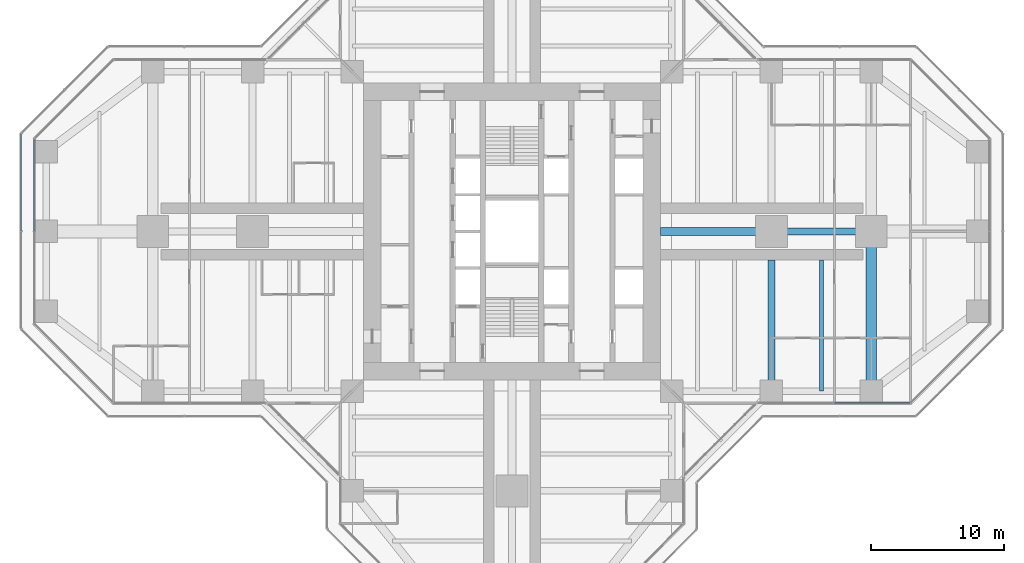
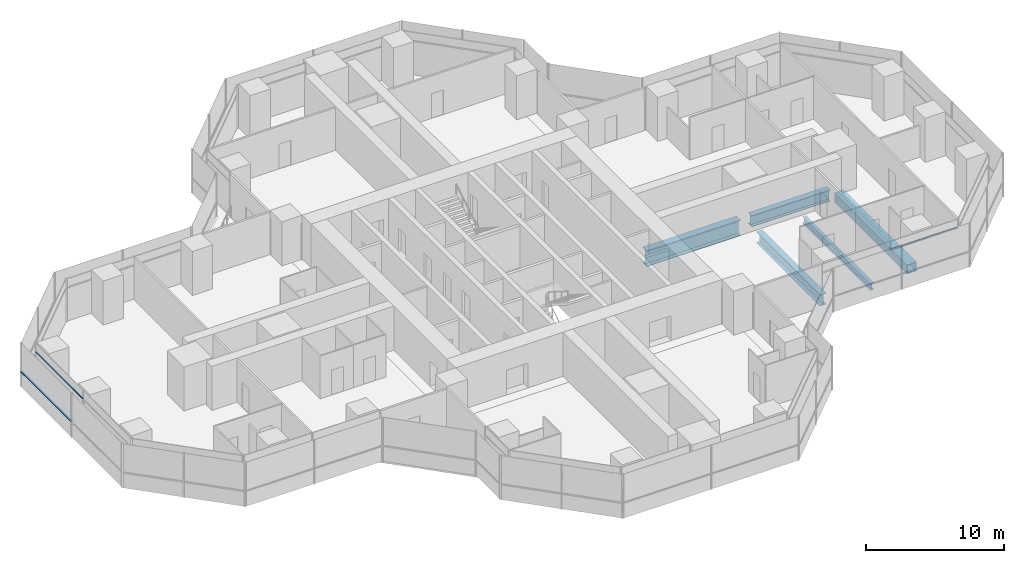
# One storey, part 6 of 20: 5 beams, 3 members, 3 elements without a shape of their own.
"""IFC4 building model written with IfcOpenShell, lengths in metres."""

from ifc_helpers import new_model, si_unit, direction, frame, origin, origin_2d, place, context, subcontext, project, spatial, rectangle, hollow_rectangle, i_section, extrude, material, material_profile, profile_set, type_object, element, aggregate, save


model = new_model("IFC4")

# Units and contexts
model_context = context("Model", 3, precision=1e-05, world=origin(), true_north=direction((0.0, 1.0)))
body_context = subcontext(model_context, "Body", "Model", "MODEL_VIEW")
ifc_project = project(units=[si_unit("LENGTHUNIT", "METRE"), si_unit("AREAUNIT", "SQUARE_METRE"), si_unit("VOLUMEUNIT", "CUBIC_METRE"), si_unit("PLANEANGLEUNIT", "RADIAN"), si_unit("MASSUNIT", "GRAM", prefix="KILO")], contexts=[model_context])

# Site, building, storey
site_placement = place(None, origin())
site = spatial("IfcSite", under=ifc_project, at=site_placement, CompositionType="ELEMENT")
building_placement = place(site_placement, origin())
building = spatial("IfcBuilding", under=site, at=building_placement, Name="Mizan Broadcast Tower", CompositionType="ELEMENT")
storey_placement = place(building_placement, frame((0.0, 0.0, 139.800048828125)))
storey = spatial("IfcBuildingStorey", under=building, at=storey_placement, Name="L31", CompositionType="ELEMENT", Elevation=139.800048828125)

# Beams
ifc_material_1 = material(Name="Steel S460", Category="steel")
ifc_material_profile_1 = material_profile(ifc_material_1, hollow_rectangle(XDim=0.800048828125, YDim=0.800048828125, WallThickness=0.050048828125, at=origin_2d()), Name="BOX 800x800x50")
ifc_profile_set_1 = profile_set([ifc_material_profile_1], Name="Steel S460")
beam_type_1 = type_object("IfcBeamType", Name="GIRDER BOX 800x800x50", PredefinedType="BEAM", material=ifc_profile_set_1)
beam_1_placement = place(storey_placement, frame((27.0, -11.280029296875, -0.530029296875), z_axis=(0.0, 1.0, 0.0), x_axis=(-1.0, 0.0, 0.0)))
element("IfcBeam", 1, at=beam_1_placement, inside=storey, type_object=beam_type_1, Name="Girder BOX 800x800x50 L31 east arm", PredefinedType="BEAM", context=body_context, shape_type="SweptSolid", body=[
    extrude(hollow_rectangle(XDim=0.800048828125, YDim=0.800048828125, WallThickness=0.050048828125, at=origin_2d()), origin(), (0.0, 0.0, 1.0), 10.56005859375),
])
ifc_material_2 = material(Name="Steel S460", Category="steel")
ifc_material_profile_2 = material_profile(ifc_material_2, i_section(OverallWidth=0.5, OverallDepth=1.0, WebThickness=0.02490234375, FlangeThickness=0.050048828125, at=origin_2d()), Name="WPG 1000x500")
ifc_profile_set_2 = profile_set([ifc_material_profile_2], Name="Steel S460")
beam_type_2 = type_object("IfcBeamType", Name="GIRDER WPG 1000x500", PredefinedType="BEAM", material=ifc_profile_set_2)
beam_2_placement = place(storey_placement, frame((19.949951171875, 0.0, -0.630126953125), z_axis=(1.0, 0.0, 0.0), x_axis=(0.0, 1.0, 0.0)))
element("IfcBeam", 2, at=beam_2_placement, inside=storey, type_object=beam_type_2, Name="Girder WPG 1000x500 L31 east arm", PredefinedType="BEAM", context=body_context, shape_type="SweptSolid", body=[
    extrude(i_section(OverallWidth=0.5, OverallDepth=1.0, WebThickness=0.02490234375, FlangeThickness=0.050048828125, at=origin_2d()), origin(), (0.0, 0.0, 1.0), 6.60009765625),
])
beam_3_placement = place(storey_placement, frame((19.5, -11.408935546875, -0.630126953125), z_axis=(0.0, 1.0, 0.0), x_axis=(-1.0, 0.0, 0.0)))
element("IfcBeam", 3, at=beam_3_placement, inside=storey, type_object=beam_type_2, Name="Girder WPG 1000x500 L31 east arm", PredefinedType="BEAM", context=body_context, shape_type="SweptSolid", body=[
    extrude(i_section(OverallWidth=0.5, OverallDepth=1.0, WebThickness=0.02490234375, FlangeThickness=0.050048828125, at=origin_2d()), origin(), (0.0, 0.0, 1.0), 9.259033203125),
])
ifc_material_3 = material(Name="Steel S460", Category="steel")
ifc_material_profile_3 = material_profile(ifc_material_3, i_section(OverallWidth=0.60009765625, OverallDepth=1.39990234375, WebThickness=0.02490234375, FlangeThickness=0.06005859375, at=origin_2d()), Name="WPG 1400x600")
ifc_profile_set_3 = profile_set([ifc_material_profile_3], Name="Steel S460")
beam_type_3 = type_object("IfcBeamType", Name="GIRDER WPG 1400x600", PredefinedType="BEAM", material=ifc_profile_set_3)
beam_4_placement = place(storey_placement, frame((11.14990234375, 0.0, -0.830078125), z_axis=(1.0, 0.0, 0.0), x_axis=(0.0, 1.0, 0.0)))
element("IfcBeam", 4, at=beam_4_placement, inside=storey, type_object=beam_type_3, Name="Girder WPG 1400x600 L31 east arm", PredefinedType="BEAM", context=body_context, shape_type="SweptSolid", body=[
    extrude(i_section(OverallWidth=0.60009765625, OverallDepth=1.39990234375, WebThickness=0.02490234375, FlangeThickness=0.06005859375, at=origin_2d()), origin(), (0.0, 0.0, 1.0), 7.84912109375),
])

# Curtain wall, member
ifc_material_4 = material(Name="Aluminium framed glazing", Category="aluminium")
curtain_wall_type_1 = type_object("IfcCurtainWallType", Name="INNER SKIN MID ZONE", PredefinedType="USERDEFINED", material=ifc_material_4)
curtain_wall_1_placement = place(storey_placement, origin())
curtain_wall_1 = element("IfcCurtainWall", 5, at=curtain_wall_1_placement, inside=storey, type_object=curtain_wall_type_1, Name="Inner skin mid zone L31 E side", ObjectType="INNER SKIN MID ZONE", PredefinedType="USERDEFINED")
ifc_material_5 = material(Name="Aluminium, pale anodised", Category="aluminium")
ifc_material_profile_4 = material_profile(ifc_material_5, rectangle(XDim=0.1201171875, YDim=0.06005859375, at=origin_2d()), Name="TRANSOM 120x60")
ifc_profile_set_4 = profile_set([ifc_material_profile_4], Name="Aluminium, pale anodised")
member_type_1 = type_object("IfcMemberType", Name="INNER SKIN TRANSOM 60x120", PredefinedType="USERDEFINED", material=ifc_profile_set_4)
member_1_placement = place(storey_placement, frame((24.25927734375, -12.89990234375, 3.030029296875), z_axis=(1.0, 0.0, 0.0), x_axis=(0.0, 1.0, 0.0)))
member_1 = element("IfcMember", 6, at=member_1_placement, type_object=member_type_1, Name="Inner skin mid zone L31 E side transom 2.1", ObjectType="TRANSOM", PredefinedType="USERDEFINED", context=body_context, shape_type="SweptSolid", body=[
    extrude(rectangle(XDim=0.1201171875, YDim=0.06005859375, at=origin_2d()), origin(), (0.0, 0.0, 1.0), 5.639404296875),
])
aggregate(curtain_wall_1, [member_1])

curtain_wall_2_placement = place(storey_placement, origin())
curtain_wall_2 = element("IfcCurtainWall", 7, at=curtain_wall_2_placement, inside=storey, type_object=curtain_wall_type_1, Name="Inner skin mid zone L31 W end", ObjectType="INNER SKIN MID ZONE", PredefinedType="USERDEFINED")
member_2_placement = place(storey_placement, frame((-35.89990234375, 6.898681640625, 3.030029296875), z_axis=(0.0, -1.0, 0.0), x_axis=(1.0, 0.0, 0.0)))
member_2 = element("IfcMember", 8, at=member_2_placement, type_object=member_type_1, Name="Inner skin mid zone L31 W end transom 1.1", ObjectType="TRANSOM", PredefinedType="USERDEFINED", context=body_context, shape_type="SweptSolid", body=[
    extrude(rectangle(XDim=0.1201171875, YDim=0.06005859375, at=origin_2d()), origin(), (0.0, 0.0, 1.0), 6.86865234375),
])
aggregate(curtain_wall_2, [member_2])

ifc_material_6 = material(Name="Aluminium framed glazing", Category="aluminium")
curtain_wall_type_2 = type_object("IfcCurtainWallType", Name="OUTER SKIN", PredefinedType="USERDEFINED", material=ifc_material_6)
curtain_wall_3_placement = place(storey_placement, origin())
curtain_wall_3 = element("IfcCurtainWall", 9, at=curtain_wall_3_placement, inside=storey, type_object=curtain_wall_type_2, Name="Outer skin L31 W end", ObjectType="OUTER SKIN", PredefinedType="USERDEFINED")
ifc_material_7 = material(Name="Aluminium, pale anodised", Category="aluminium")
ifc_material_profile_5 = material_profile(ifc_material_7, rectangle(XDim=0.159912109375, YDim=0.06005859375, at=origin_2d()), Name="TRANSOM 160x60")
ifc_profile_set_5 = profile_set([ifc_material_profile_5], Name="Aluminium, pale anodised")
member_type_2 = type_object("IfcMemberType", Name="OUTER SKIN TRANSOM 60x160", PredefinedType="USERDEFINED", material=ifc_profile_set_5)
member_3_placement = place(storey_placement, frame((-36.89990234375, 7.292724609375, 1.39990234375), z_axis=(0.0, -1.0, 0.0), x_axis=(1.0, 0.0, 0.0)))
member_3 = element("IfcMember", 10, at=member_3_placement, type_object=member_type_2, Name="Outer skin L31 W end transom 1.1", ObjectType="TRANSOM", PredefinedType="USERDEFINED", context=body_context, shape_type="SweptSolid", body=[
    extrude(rectangle(XDim=0.159912109375, YDim=0.06005859375, at=origin_2d()), origin(), (0.0, 0.0, 1.0), 7.252685546875),
])
aggregate(curtain_wall_3, [member_3])

# Beam
ifc_material_8 = material(Name="Steel S355", Category="steel")
ifc_material_profile_6 = material_profile(ifc_material_8, i_section(OverallWidth=0.300048828125, OverallDepth=0.590087890625, WebThickness=0.012939453125, FlangeThickness=0.02490234375, FilletRadius=0.027099609375, at=origin_2d()), Name="HEA 600")
ifc_profile_set_6 = profile_set([ifc_material_profile_6], Name="Steel S355")
beam_type_4 = type_object("IfcBeamType", Name="SECONDARY BEAM HEA 600", PredefinedType="JOIST", material=ifc_profile_set_6)
beam_5_placement = place(storey_placement, frame((23.25, -12.0, -0.425048828125), z_axis=(0.0, 1.0, 0.0), x_axis=(-1.0, 0.0, 0.0)))
element("IfcBeam", 11, at=beam_5_placement, inside=storey, type_object=beam_type_4, Name="Secondary beam HEA 600 L31 east arm", PredefinedType="JOIST", context=body_context, shape_type="SweptSolid", body=[
    extrude(i_section(OverallWidth=0.300048828125, OverallDepth=0.590087890625, WebThickness=0.012939453125, FlangeThickness=0.02490234375, FilletRadius=0.027099609375, at=origin_2d()), origin(), (0.0, 0.0, 1.0), 9.85009765625),
])

save(model, "model.ifc")
